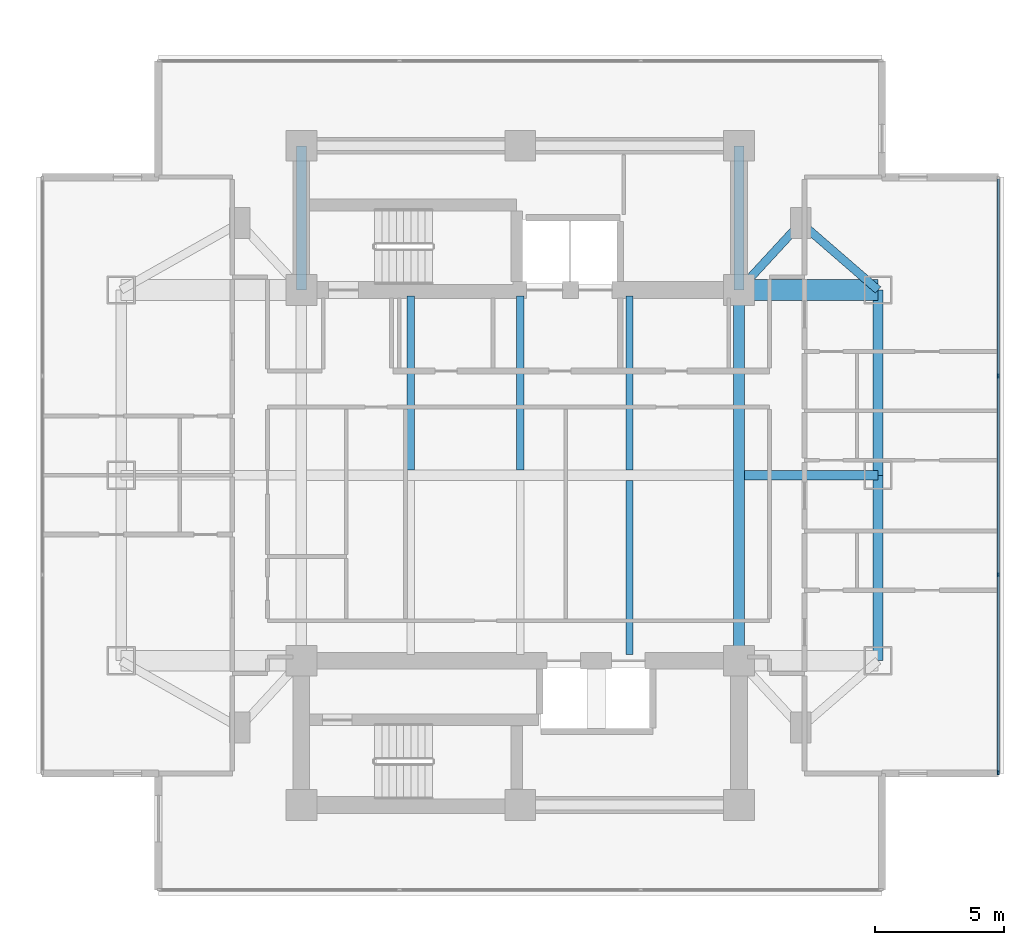
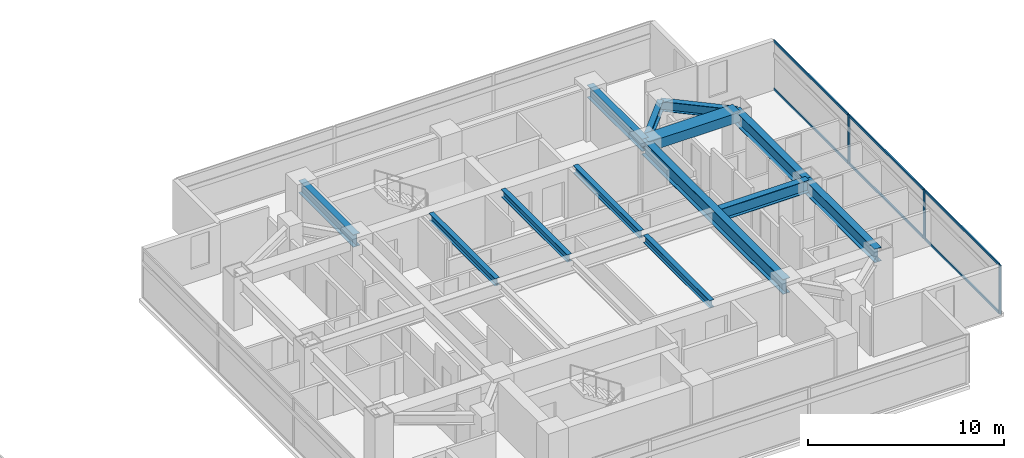
# One storey, part 10 of 26: 13 beams, 9 members, 1 element without a shape of its own.
"""IFC4 building model written with IfcOpenShell, lengths in metres."""

from ifc_helpers import new_model, si_unit, direction, frame, origin, origin_2d, place, context, subcontext, project, spatial, rectangle, i_section, extrude, material, material_profile, profile_set, type_object, element, aggregate, save


model = new_model("IFC4")

# Units and contexts
model_context = context("Model", 3, precision=1e-05, world=origin(), true_north=direction((0.0, 1.0)))
body_context = subcontext(model_context, "Body", "Model", "MODEL_VIEW")
ifc_project = project(units=[si_unit("LENGTHUNIT", "METRE"), si_unit("AREAUNIT", "SQUARE_METRE"), si_unit("VOLUMEUNIT", "CUBIC_METRE"), si_unit("PLANEANGLEUNIT", "RADIAN"), si_unit("MASSUNIT", "GRAM", prefix="KILO")], contexts=[model_context])

# Site, building, storey
site_placement = place(None, origin())
site = spatial("IfcSite", under=ifc_project, at=site_placement, CompositionType="ELEMENT")
building_placement = place(site_placement, origin())
building = spatial("IfcBuilding", under=site, at=building_placement, Name="Mirazonda Arch Towers", CompositionType="ELEMENT")
storey_placement = place(building_placement, frame((0.0, 0.0, 108.199951171875)))
storey = spatial("IfcBuildingStorey", under=building, at=storey_placement, Name="L30", CompositionType="ELEMENT", Elevation=108.199951171875)

# Beams
ifc_material_1 = material(Name="Steel ASTM A992 Grade 50", Category="steel")
ifc_material_profile_1 = material_profile(ifc_material_1, i_section(OverallWidth=0.39990234375, OverallDepth=0.85595703125, WebThickness=0.018310546875, FlangeThickness=0.029296875, at=origin_2d()), Name="W33X201")
ifc_profile_set_1 = profile_set([ifc_material_profile_1], Name="Steel ASTM A992 Grade 50")
beam_type_1 = type_object("IfcBeamType", Name="BM-EXT-W33X201", PredefinedType="USERDEFINED", material=ifc_profile_set_1)
for number, where, z_axis, x_axis, name in (
    (1, (90.39990234375, 20.800048828125, 2.652099609375), (0.0, 1.0, 0.0), (-1.0, 0.0, 0.0), "L30 Floor Beam BM-T2-L30-NS-E-20"),
    (2, (90.39990234375, 28.0, 2.652099609375), (0.0, 1.0, 0.0), (-1.0, 0.0, 0.0), "L30 Floor Beam BM-T2-L30-NS-E-28"),
):
    element("IfcBeam", number, at=place(storey_placement, frame(where, z_axis=z_axis, x_axis=x_axis)), inside=storey, type_object=beam_type_1, Name=name, ObjectType="GIRDER", PredefinedType="USERDEFINED", context=body_context, shape_type="SweptSolid", body=[
        extrude(i_section(OverallWidth=0.39990234375, OverallDepth=0.85595703125, WebThickness=0.018310546875, FlangeThickness=0.029296875, at=origin_2d()), origin(), (0.0, 0.0, 1.0), 7.199951171875),
    ])
ifc_material_profile_2 = material_profile(ifc_material_1, i_section(OverallWidth=0.280029296875, OverallDepth=0.462890625, WebThickness=0.0107421875, FlangeThickness=0.017333984375, at=origin_2d()), Name="W18X76")
ifc_profile_set_2 = profile_set([ifc_material_profile_2], Name="Steel ASTM A992 Grade 50")
beam_type_2 = type_object("IfcBeamType", Name="BM-INT-W18X76", PredefinedType="JOIST", material=ifc_profile_set_2)
for number, where, z_axis, x_axis, name in (
    (3, (72.25, 28.205078125, 2.8486328125), (0.0, 1.0, 0.0), (-1.0, 0.0, 0.0), "L30 Floor Beam BM-T2-L30-J-722-28"),
    (4, (76.5, 28.205078125, 2.8486328125), (0.0, 1.0, 0.0), (-1.0, 0.0, 0.0), "L30 Floor Beam BM-T2-L30-J-765-28"),
    (5, (80.75, 21.0400390625, 2.8486328125), (0.0, 1.0, 0.0), (-1.0, 0.0, 0.0), "L30 Floor Beam BM-T2-L30-J-807-20"),
    (6, (80.75, 28.205078125, 2.8486328125), (0.0, 1.0, 0.0), (-1.0, 0.0, 0.0), "L30 Floor Beam BM-T2-L30-J-807-28"),
):
    element("IfcBeam", number, at=place(storey_placement, frame(where, z_axis=z_axis, x_axis=x_axis)), inside=storey, type_object=beam_type_2, Name=name, PredefinedType="JOIST", context=body_context, shape_type="SweptSolid", body=[
        extrude(i_section(OverallWidth=0.280029296875, OverallDepth=0.462890625, WebThickness=0.0107421875, FlangeThickness=0.017333984375, at=origin_2d()), origin(), (0.0, 0.0, 1.0), 6.7548828125),
    ])
ifc_material_profile_3 = material_profile(ifc_material_1, i_section(OverallWidth=0.324951171875, OverallDepth=0.615966796875, WebThickness=0.013916015625, FlangeThickness=0.021484375, at=origin_2d()), Name="W24X117")
ifc_profile_set_3 = profile_set([ifc_material_profile_3], Name="Steel ASTM A992 Grade 50")
beam_type_3 = type_object("IfcBeamType", Name="BM-INT-W24X117", PredefinedType="BEAM", material=ifc_profile_set_3)
beam_1_placement = place(storey_placement, frame((87.39990234375, 37.800048828125, 2.77197265625), z_axis=(-0.678251444854, -0.734829897019, 0.0), x_axis=(0.734829897019, -0.678251444854, 0.0)))
element("IfcBeam", 7, at=beam_1_placement, inside=storey, type_object=beam_type_3, Name="L30 Floor Beam BM-T2-L30-PL-NE1", PredefinedType="BEAM", context=body_context, shape_type="SweptSolid", body=[
    extrude(i_section(OverallWidth=0.324951171875, OverallDepth=0.615966796875, WebThickness=0.013916015625, FlangeThickness=0.021484375, at=origin_2d()), origin(), (0.0, 0.0, 1.0), 3.538330078125),
])
beam_2_placement = place(storey_placement, frame((87.39990234375, 37.800048828125, 2.77197265625), z_axis=(0.755676908098, -0.654944585876, 0.0), x_axis=(0.654944585876, 0.755676908098, 0.0)))
element("IfcBeam", 8, at=beam_2_placement, inside=storey, type_object=beam_type_3, Name="L30 Floor Beam BM-T2-L30-PL-NE2", PredefinedType="BEAM", context=body_context, shape_type="SweptSolid", body=[
    extrude(i_section(OverallWidth=0.324951171875, OverallDepth=0.615966796875, WebThickness=0.013916015625, FlangeThickness=0.021484375, at=origin_2d()), origin(), (0.0, 0.0, 1.0), 3.969970703125),
])
ifc_material_profile_4 = material_profile(ifc_material_1, i_section(OverallWidth=0.381103515625, OverallDepth=0.77294921875, WebThickness=0.0166015625, FlangeThickness=0.027099609375, at=origin_2d()), Name="W30X173")
ifc_profile_set_4 = profile_set([ifc_material_profile_4], Name="Steel ASTM A992 Grade 50")
beam_type_4 = type_object("IfcBeamType", Name="BM-INT-W30X173", PredefinedType="USERDEFINED", material=ifc_profile_set_4)
for number, where, z_axis, x_axis, name in (
    (9, (68.0, 35.199951171875, 2.693603515625), (0.0, 1.0, 0.0), (-1.0, 0.0, 0.0), "L30 Floor Beam BM-T2-L30-CNW"),
    (10, (85.0, 35.199951171875, 2.693603515625), (0.0, 1.0, 0.0), (-1.0, 0.0, 0.0), "L30 Floor Beam BM-T2-L30-CNE"),
):
    element("IfcBeam", number, at=place(storey_placement, frame(where, z_axis=z_axis, x_axis=x_axis)), inside=storey, type_object=beam_type_4, Name=name, ObjectType="GIRDER", PredefinedType="USERDEFINED", context=body_context, shape_type="SweptSolid", body=[
        extrude(i_section(OverallWidth=0.381103515625, OverallDepth=0.77294921875, WebThickness=0.0166015625, FlangeThickness=0.027099609375, at=origin_2d()), origin(), (0.0, 0.0, 1.0), 5.60009765625),
    ])
beam_3_placement = place(storey_placement, frame((85.208984375, 28.0, 2.693603515625), z_axis=(1.0, 0.0, 0.0), x_axis=(0.0, 1.0, 0.0)))
element("IfcBeam", 11, at=beam_3_placement, inside=storey, type_object=beam_type_4, Name="L30 Floor Beam BM-T2-L30-GE2", ObjectType="GIRDER", PredefinedType="USERDEFINED", context=body_context, shape_type="SweptSolid", body=[
    extrude(i_section(OverallWidth=0.381103515625, OverallDepth=0.77294921875, WebThickness=0.0166015625, FlangeThickness=0.027099609375, at=origin_2d()), origin(), (0.0, 0.0, 1.0), 5.19091796875),
])
ifc_material_profile_5 = material_profile(ifc_material_1, i_section(OverallWidth=0.41796875, OverallDepth=0.927001953125, WebThickness=0.019287109375, FlangeThickness=0.031982421875, at=origin_2d()), Name="W36X231")
ifc_profile_set_5 = profile_set([ifc_material_profile_5], Name="Steel ASTM A992 Grade 50")
beam_type_5 = type_object("IfcBeamType", Name="BM-INT-W36X231", PredefinedType="USERDEFINED", material=ifc_profile_set_5)
beam_4_placement = place(storey_placement, frame((85.0, 20.800048828125, 2.616455078125), z_axis=(0.0, 1.0, 0.0), x_axis=(-1.0, 0.0, 0.0)))
element("IfcBeam", 12, at=beam_4_placement, inside=storey, type_object=beam_type_5, Name="L30 Floor Beam BM-T2-L30-NS-CE-FULL", ObjectType="GIRDER", PredefinedType="USERDEFINED", context=body_context, shape_type="SweptSolid", body=[
    extrude(i_section(OverallWidth=0.41796875, OverallDepth=0.927001953125, WebThickness=0.019287109375, FlangeThickness=0.031982421875, at=origin_2d()), origin(), (0.0, 0.0, 1.0), 14.39990234375),
])
ifc_material_2 = material(Name="Concrete C60/75", Category="concrete")
ifc_material_profile_6 = material_profile(ifc_material_2, rectangle(XDim=0.800048828125, YDim=0.60009765625, at=origin_2d()), Name="RCCB800x600")
ifc_profile_set_6 = profile_set([ifc_material_profile_6], Name="Concrete C60/75")
beam_type_6 = type_object("IfcBeamType", Name="CB-INT-RCCB800x600", PredefinedType="SPANDREL", material=ifc_profile_set_6)
beam_5_placement = place(storey_placement, frame((85.0, 35.199951171875, 2.780029296875), z_axis=(1.0, 0.0, 0.0), x_axis=(0.0, 1.0, 0.0)))
element("IfcBeam", 13, at=beam_5_placement, inside=storey, type_object=beam_type_6, Name="L30 Floor Beam CBC-T2-L30-NE", PredefinedType="SPANDREL", context=body_context, shape_type="SweptSolid", body=[
    extrude(rectangle(XDim=0.800048828125, YDim=0.60009765625, at=origin_2d()), origin(), (0.0, 0.0, 1.0), 5.39990234375),
])

# Curtain wall, members
ifc_material_3 = material(Name="Anodised Aluminium and Low-E Glass", Category="aluminium")
curtain_wall_type = type_object("IfcCurtainWallType", Name="CW-HTL-UNIT", PredefinedType="NOTDEFINED", material=ifc_material_3)
curtain_wall_placement = place(storey_placement, origin())
curtain_wall = element("IfcCurtainWall", 14, at=curtain_wall_placement, inside=storey, type_object=curtain_wall_type, Name="L30 T2 E Facade CW-L30-T2-E", PredefinedType="NOTDEFINED")
ifc_material_4 = material(Name="Anodised Aluminium Alloy", Category="aluminium")
ifc_material_profile_7 = material_profile(ifc_material_4, rectangle(XDim=0.074951171875, YDim=0.1650390625, at=origin_2d()), Name="ALU-MULL-75x165")
ifc_profile_set_7 = profile_set([ifc_material_profile_7], Name="Anodised Aluminium Alloy")
member_type_1 = type_object("IfcMemberType", Name="MULL-CW-HTL-UNIT", PredefinedType="MULLION", material=ifc_profile_set_7)
member_1_placement = place(storey_placement, frame((95.070556640625, 16.45654296875, 0.0), z_axis=(0.0, 0.0, 1.0), x_axis=(-1.0, 0.0, 0.0)))
member_1 = element("IfcMember", 15, at=member_1_placement, type_object=member_type_1, Name="CW-112 mullion 1", PredefinedType="MULLION", context=body_context, shape_type="SweptSolid", body=[
    extrude(rectangle(XDim=0.074951171875, YDim=0.1650390625, at=origin_2d()), origin(), (0.0, 0.0, 1.0), 3.06005859375),
])
member_2_placement = place(storey_placement, frame((95.070556640625, 24.1396484375, 0.0), z_axis=(0.0, 0.0, 1.0), x_axis=(-1.0, 0.0, 0.0)))
member_2 = element("IfcMember", 16, at=member_2_placement, type_object=member_type_1, Name="CW-112 mullion 2", PredefinedType="MULLION", context=body_context, shape_type="SweptSolid", body=[
    extrude(rectangle(XDim=0.074951171875, YDim=0.1650390625, at=origin_2d()), origin(), (0.0, 0.0, 1.0), 3.06005859375),
])
member_3_placement = place(storey_placement, frame((95.070556640625, 31.8603515625, 0.0), z_axis=(0.0, 0.0, 1.0), x_axis=(-1.0, 0.0, 0.0)))
member_3 = element("IfcMember", 17, at=member_3_placement, type_object=member_type_1, Name="CW-112 mullion 3", PredefinedType="MULLION", context=body_context, shape_type="SweptSolid", body=[
    extrude(rectangle(XDim=0.074951171875, YDim=0.1650390625, at=origin_2d()), origin(), (0.0, 0.0, 1.0), 3.06005859375),
])
ifc_material_profile_8 = material_profile(ifc_material_4, rectangle(XDim=0.074951171875, YDim=0.14501953125, at=origin_2d()), Name="ALU-TRAN-75x145")
ifc_profile_set_8 = profile_set([ifc_material_profile_8], Name="Anodised Aluminium Alloy")
member_type_2 = type_object("IfcMemberType", Name="TRAN-CW-HTL-UNIT", PredefinedType="USERDEFINED", material=ifc_profile_set_8)
member_4_placement = place(storey_placement, frame((95.070556640625, 16.493896484375, 0.03759765625), z_axis=(0.0, 1.0, 0.0), x_axis=(-1.0, 0.0, 0.0)))
member_4 = element("IfcMember", 18, at=member_4_placement, type_object=member_type_2, Name="CW-112 transom 1.1", ObjectType="TRANSOM", PredefinedType="USERDEFINED", context=body_context, shape_type="SweptSolid", body=[
    extrude(rectangle(XDim=0.074951171875, YDim=0.14501953125, at=origin_2d()), origin(), (0.0, 0.0, 1.0), 7.608154296875),
])
member_5_placement = place(storey_placement, frame((95.070556640625, 16.493896484375, 3.0224609375), z_axis=(0.0, 1.0, 0.0), x_axis=(-1.0, 0.0, 0.0)))
member_5 = element("IfcMember", 19, at=member_5_placement, type_object=member_type_2, Name="CW-112 transom 1.2", ObjectType="TRANSOM", PredefinedType="USERDEFINED", context=body_context, shape_type="SweptSolid", body=[
    extrude(rectangle(XDim=0.074951171875, YDim=0.14501953125, at=origin_2d()), origin(), (0.0, 0.0, 1.0), 7.608154296875),
])
member_6_placement = place(storey_placement, frame((95.070556640625, 24.17724609375, 0.03759765625), z_axis=(0.0, 1.0, 0.0), x_axis=(-1.0, 0.0, 0.0)))
member_6 = element("IfcMember", 20, at=member_6_placement, type_object=member_type_2, Name="CW-112 transom 2.1", ObjectType="TRANSOM", PredefinedType="USERDEFINED", context=body_context, shape_type="SweptSolid", body=[
    extrude(rectangle(XDim=0.074951171875, YDim=0.14501953125, at=origin_2d()), origin(), (0.0, 0.0, 1.0), 7.6455078125),
])
member_7_placement = place(storey_placement, frame((95.070556640625, 24.17724609375, 3.0224609375), z_axis=(0.0, 1.0, 0.0), x_axis=(-1.0, 0.0, 0.0)))
member_7 = element("IfcMember", 21, at=member_7_placement, type_object=member_type_2, Name="CW-112 transom 2.2", ObjectType="TRANSOM", PredefinedType="USERDEFINED", context=body_context, shape_type="SweptSolid", body=[
    extrude(rectangle(XDim=0.074951171875, YDim=0.14501953125, at=origin_2d()), origin(), (0.0, 0.0, 1.0), 7.6455078125),
])
member_8_placement = place(storey_placement, frame((95.070556640625, 31.89794921875, 0.03759765625), z_axis=(0.0, 1.0, 0.0), x_axis=(-1.0, 0.0, 0.0)))
member_8 = element("IfcMember", 22, at=member_8_placement, type_object=member_type_2, Name="CW-112 transom 3.1", ObjectType="TRANSOM", PredefinedType="USERDEFINED", context=body_context, shape_type="SweptSolid", body=[
    extrude(rectangle(XDim=0.074951171875, YDim=0.14501953125, at=origin_2d()), origin(), (0.0, 0.0, 1.0), 7.608154296875),
])
member_9_placement = place(storey_placement, frame((95.070556640625, 31.89794921875, 3.0224609375), z_axis=(0.0, 1.0, 0.0), x_axis=(-1.0, 0.0, 0.0)))
member_9 = element("IfcMember", 23, at=member_9_placement, type_object=member_type_2, Name="CW-112 transom 3.2", ObjectType="TRANSOM", PredefinedType="USERDEFINED", context=body_context, shape_type="SweptSolid", body=[
    extrude(rectangle(XDim=0.074951171875, YDim=0.14501953125, at=origin_2d()), origin(), (0.0, 0.0, 1.0), 7.608154296875),
])
aggregate(curtain_wall, [member_1, member_2, member_3, member_4, member_5, member_6, member_7, member_8, member_9])

save(model, "model.ifc")
